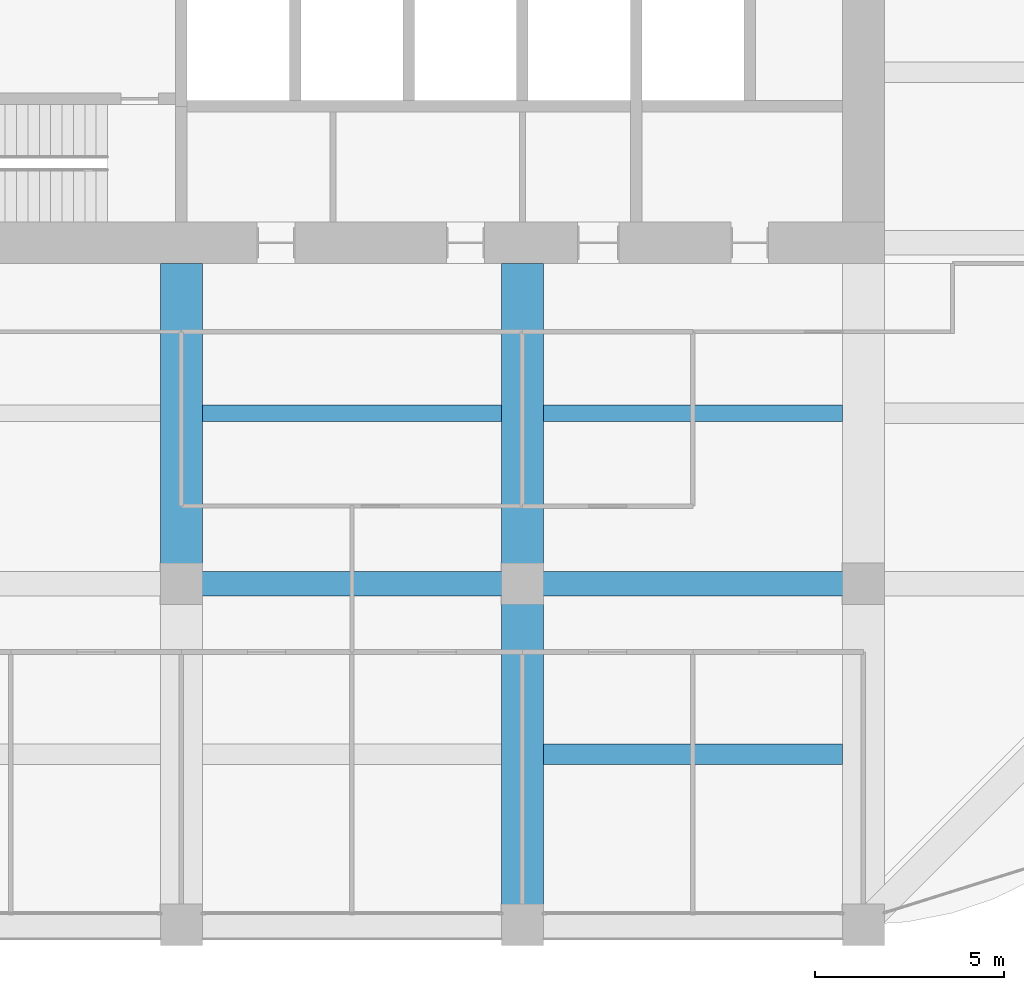
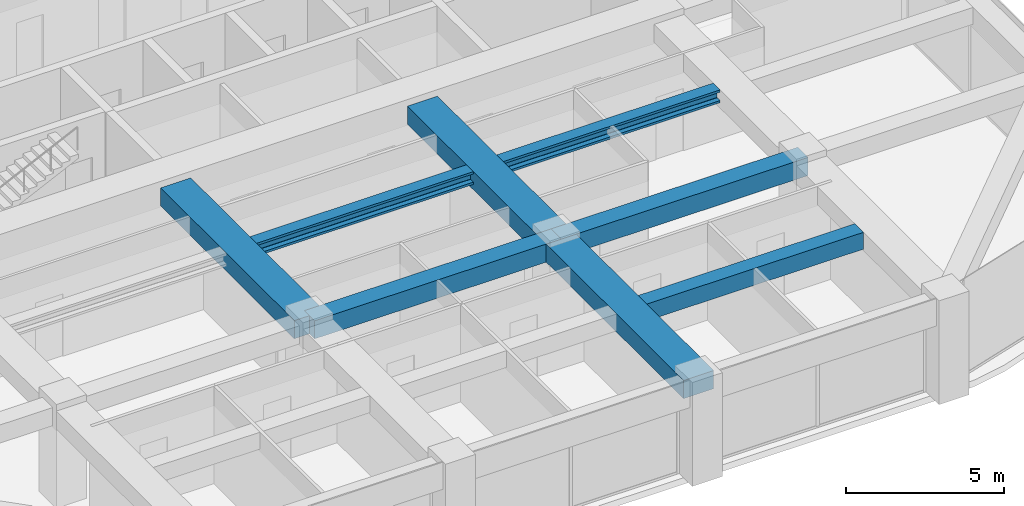
# One storey, part 12 of 44: 8 beams.
"""IFC4 building model written with IfcOpenShell, lengths in metres."""

from ifc_helpers import new_model, si_unit, direction, frame, origin, origin_2d, place, context, subcontext, project, spatial, rectangle, i_section, extrude, material, material_profile, profile_set, type_object, element, save


model = new_model("IFC4")

# Units and contexts
model_context = context("Model", 3, precision=1e-05, world=origin(), true_north=direction((0.0, 1.0)))
body_context = subcontext(model_context, "Body", "Model", "MODEL_VIEW")
ifc_project = project(units=[si_unit("LENGTHUNIT", "METRE"), si_unit("AREAUNIT", "SQUARE_METRE"), si_unit("VOLUMEUNIT", "CUBIC_METRE"), si_unit("PLANEANGLEUNIT", "RADIAN"), si_unit("MASSUNIT", "GRAM", prefix="KILO")], contexts=[model_context])

# Site, building, storey
site_placement = place(None, origin())
site = spatial("IfcSite", under=ifc_project, at=site_placement, CompositionType="ELEMENT")
building_placement = place(site_placement, origin())
building = spatial("IfcBuilding", under=site, at=building_placement, Name="Zorevar Civic Tower", CompositionType="ELEMENT")
storey_placement = place(building_placement, frame((0.0, 0.0, 283.39990234375)))
storey = spatial("IfcBuildingStorey", under=building, at=storey_placement, Name="L69", CompositionType="ELEMENT", Elevation=283.39990234375)

# Beams
ifc_material_1 = material(Name="Concrete C50/60", Category="concrete")
ifc_material_profile_1 = material_profile(ifc_material_1, rectangle(XDim=1.10009765625, YDim=0.699951171875, at=origin_2d()), Name="RC 1100x700")
ifc_profile_set_1 = profile_set([ifc_material_profile_1], Name="Concrete C50/60")
beam_type_1 = type_object("IfcBeamType", Name="Beam RC 1100x700", PredefinedType="BEAM", material=ifc_profile_set_1)
beam_1_placement = place(storey_placement, frame((27.0, 9.0, 3.400146484375), z_axis=(0.0, 1.0, 0.0), x_axis=(-1.0, 0.0, 0.0)))
element("IfcBeam", 1, at=beam_1_placement, inside=storey, type_object=beam_type_1, Name="Girder L70", PredefinedType="BEAM", context=body_context, shape_type="SweptSolid", body=[
    extrude(rectangle(XDim=1.10009765625, YDim=0.699951171875, at=origin_2d()), origin(), (0.0, 0.0, 1.0), 8.449951171875),
])
beam_2_placement = place(storey_placement, frame((36.0, 0.0, 3.400146484375), z_axis=(0.0, 1.0, 0.0), x_axis=(-1.0, 0.0, 0.0)))
element("IfcBeam", 2, at=beam_2_placement, inside=storey, type_object=beam_type_1, Name="Girder L70", PredefinedType="BEAM", context=body_context, shape_type="SweptSolid", body=[
    extrude(rectangle(XDim=1.10009765625, YDim=0.699951171875, at=origin_2d()), origin(), (0.0, 0.0, 1.0), 9.0),
])
beam_3_placement = place(storey_placement, frame((36.0, 9.0, 3.400146484375), z_axis=(0.0, 1.0, 0.0), x_axis=(-1.0, 0.0, 0.0)))
element("IfcBeam", 3, at=beam_3_placement, inside=storey, type_object=beam_type_1, Name="Girder L70", PredefinedType="BEAM", context=body_context, shape_type="SweptSolid", body=[
    extrude(rectangle(XDim=1.10009765625, YDim=0.699951171875, at=origin_2d()), origin(), (0.0, 0.0, 1.0), 8.449951171875),
])
ifc_material_2 = material(Name="Concrete C50/60", Category="concrete")
ifc_material_profile_2 = material_profile(ifc_material_2, rectangle(XDim=0.550048828125, YDim=0.64990234375, at=origin_2d()), Name="RC 550x650")
ifc_profile_set_2 = profile_set([ifc_material_profile_2], Name="Concrete C50/60")
beam_type_2 = type_object("IfcBeamType", Name="Beam RC 550x650", PredefinedType="BEAM", material=ifc_profile_set_2)
beam_4_placement = place(storey_placement, frame((36.550048828125, 4.5, 3.425048828125), z_axis=(1.0, 0.0, 0.0), x_axis=(0.0, 1.0, 0.0)))
element("IfcBeam", 4, at=beam_4_placement, inside=storey, type_object=beam_type_2, Name="Secondary beam L70", PredefinedType="BEAM", context=body_context, shape_type="SweptSolid", body=[
    extrude(rectangle(XDim=0.550048828125, YDim=0.64990234375, at=origin_2d()), origin(), (0.0, 0.0, 1.0), 7.89990234375),
])
ifc_material_3 = material(Name="Concrete C50/60", Category="concrete")
ifc_material_profile_3 = material_profile(ifc_material_3, rectangle(XDim=0.64990234375, YDim=0.699951171875, at=origin_2d()), Name="RC 650x700")
ifc_profile_set_3 = profile_set([ifc_material_profile_3], Name="Concrete C50/60")
beam_type_3 = type_object("IfcBeamType", Name="Beam RC 650x700", PredefinedType="BEAM", material=ifc_profile_set_3)
for number, where, z_axis, x_axis, name in (
    (5, (27.0, 9.0, 3.400146484375), (1.0, 0.0, 0.0), (0.0, 1.0, 0.0), "Girder L70"),
    (6, (36.0, 9.0, 3.400146484375), (1.0, 0.0, 0.0), (0.0, 1.0, 0.0), "Girder L70"),
):
    element("IfcBeam", number, at=place(storey_placement, frame(where, z_axis=z_axis, x_axis=x_axis)), inside=storey, type_object=beam_type_3, Name=name, PredefinedType="BEAM", context=body_context, shape_type="SweptSolid", body=[
        extrude(rectangle(XDim=0.64990234375, YDim=0.699951171875, at=origin_2d()), origin(), (0.0, 0.0, 1.0), 9.0),
    ])
ifc_material_4 = material(Name="Steel S460M (HISTAR 460)", Category="steel")
ifc_material_profile_4 = material_profile(ifc_material_4, i_section(OverallWidth=0.431884765625, OverallDepth=0.498046875, WebThickness=0.0556640625, FlangeThickness=0.0888671875, FilletRadius=0.014892578125, at=origin_2d()), Name="HD 400x744")
ifc_profile_set_4 = profile_set([ifc_material_profile_4], Name="Steel S460M (HISTAR 460)")
beam_type_4 = type_object("IfcBeamType", Name="Core bay beam HD 400x744", PredefinedType="BEAM", material=ifc_profile_set_4)
for number, where, z_axis, x_axis, name in (
    (7, (27.550048828125, 13.5, 3.5009765625), (1.0, 0.0, 0.0), (0.0, 1.0, 0.0), "Secondary beam L70"),
    (8, (36.550048828125, 13.5, 3.5009765625), (1.0, 0.0, 0.0), (0.0, 1.0, 0.0), "Secondary beam L70"),
):
    element("IfcBeam", number, at=place(storey_placement, frame(where, z_axis=z_axis, x_axis=x_axis)), inside=storey, type_object=beam_type_4, Name=name, PredefinedType="BEAM", context=body_context, shape_type="SweptSolid", body=[
        extrude(i_section(OverallWidth=0.431884765625, OverallDepth=0.498046875, WebThickness=0.0556640625, FlangeThickness=0.0888671875, FilletRadius=0.014892578125, at=origin_2d()), origin(), (0.0, 0.0, 1.0), 7.89990234375),
    ])

save(model, "model.ifc")
